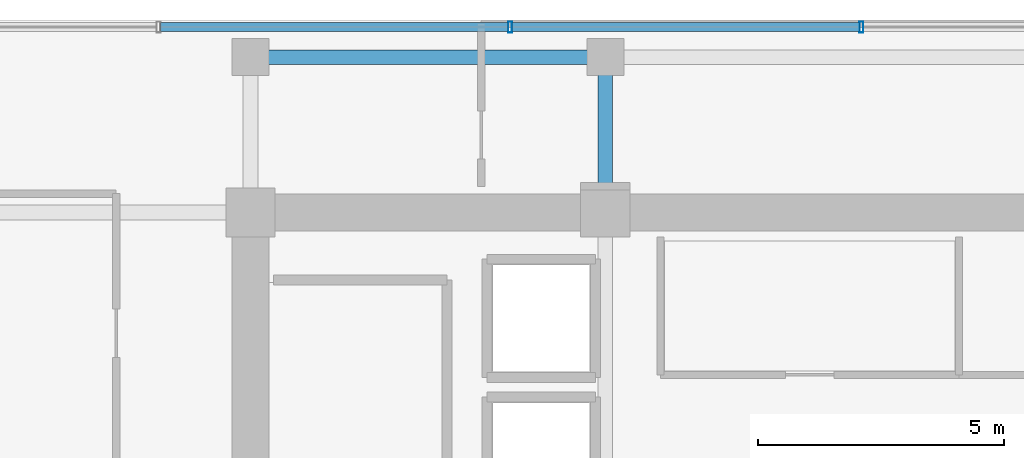
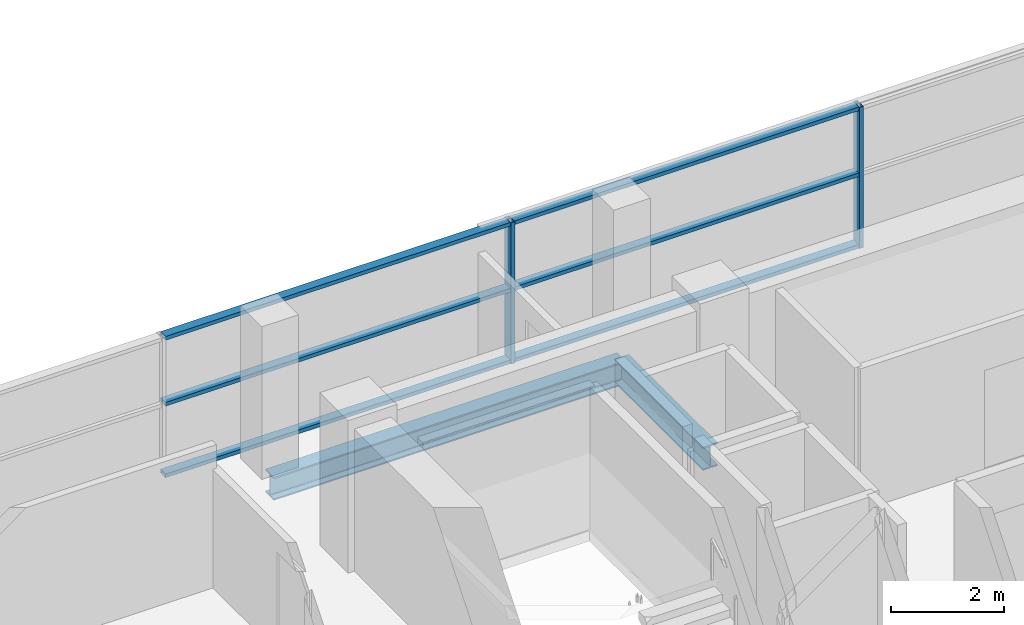
# One storey, part 10 of 21: 8 members, 2 beams, 1 element without a shape of its own.
"""IFC4 building model written with IfcOpenShell, lengths in metres."""

from ifc_helpers import new_model, si_unit, direction, frame, origin, origin_2d, place, context, subcontext, project, spatial, hollow_rectangle, i_section, extrude, source, transform, mapped, material, layer, layer_set, material_profile, profile_set, type_object, element, aggregate, save


model = new_model("IFC4")

# Units and contexts
model_context = context("Model", 3, precision=1e-05, world=origin(), true_north=direction((0.0, 1.0)))
body_context = subcontext(model_context, "Body", "Model", "MODEL_VIEW")
ifc_project = project(units=[si_unit("LENGTHUNIT", "METRE"), si_unit("AREAUNIT", "SQUARE_METRE"), si_unit("VOLUMEUNIT", "CUBIC_METRE"), si_unit("PLANEANGLEUNIT", "RADIAN"), si_unit("MASSUNIT", "GRAM", prefix="KILO")], contexts=[model_context])

# Site, building, storey
site_placement = place(None, origin())
site = spatial("IfcSite", under=ifc_project, at=site_placement, CompositionType="ELEMENT")
building_placement = place(site_placement, origin())
building = spatial("IfcBuilding", under=site, at=building_placement, Name="Zarnakvel Exchange Tower", CompositionType="ELEMENT")
storey_placement = place(building_placement, frame((0.0, 0.0, 159.39990234375)))
storey = spatial("IfcBuildingStorey", under=building, at=storey_placement, Name="L44", CompositionType="ELEMENT", Elevation=159.39990234375)

# Beams
ifc_material_1 = material(Name="Steel S355", Category="steel")
ifc_material_profile_1 = material_profile(ifc_material_1, i_section(OverallWidth=0.300048828125, OverallDepth=0.5, WebThickness=0.014404296875, FlangeThickness=0.028076171875, FilletRadius=0.027099609375, at=origin_2d()))
ifc_profile_set_1 = profile_set([ifc_material_profile_1], Name="Steel S355")
beam_type_1 = type_object("IfcBeamType", Name="G-06", PredefinedType="BEAM", material=ifc_profile_set_1)
beam_1_placement = place(storey_placement, frame((-7.199951171875, 13.5, -0.474853515625), z_axis=(0.0, 1.0, 0.0), x_axis=(-1.0, 0.0, 0.0)))
element("IfcBeam", 1, at=beam_1_placement, inside=storey, type_object=beam_type_1, Name="L44 Tower N-S Frame Beam", PredefinedType="BEAM", context=body_context, shape_type="SweptSolid", body=[
    extrude(i_section(OverallWidth=0.300048828125, OverallDepth=0.5, WebThickness=0.014404296875, FlangeThickness=0.028076171875, FilletRadius=0.027099609375, at=origin_2d()), origin(), (0.0, 0.0, 1.0), 3.14990234375),
])
ifc_material_profile_2 = material_profile(ifc_material_1, i_section(OverallWidth=0.300048828125, OverallDepth=0.5, WebThickness=0.014404296875, FlangeThickness=0.028076171875, FilletRadius=0.027099609375, at=origin_2d()))
ifc_profile_set_2 = profile_set([ifc_material_profile_2], Name="Steel S355")
beam_type_2 = type_object("IfcBeamType", Name="SP-02", PredefinedType="SPANDREL", material=ifc_profile_set_2)
beam_2_placement = place(storey_placement, frame((-14.39990234375, 16.64990234375, -0.474853515625), z_axis=(1.0, 0.0, 0.0), x_axis=(0.0, 1.0, 0.0)))
element("IfcBeam", 2, at=beam_2_placement, inside=storey, type_object=beam_type_2, Name="L44 Tower E-W Frame Beam", PredefinedType="SPANDREL", context=body_context, shape_type="SweptSolid", body=[
    extrude(i_section(OverallWidth=0.300048828125, OverallDepth=0.5, WebThickness=0.014404296875, FlangeThickness=0.028076171875, FilletRadius=0.027099609375, at=origin_2d()), origin(), (0.0, 0.0, 1.0), 7.199951171875),
])

# Curtain wall, members
ifc_material_2 = material(Name="Architectural Bronze Anodised Aluminium", Category="aluminium")
ifc_layer = layer(ifc_material_2, 0.219970703125)
ifc_layer_set = layer_set([ifc_layer], Name="Architectural Bronze Anodised Aluminium")
curtain_wall_type = type_object("IfcCurtainWallType", Name="CW-03", PredefinedType="NOTDEFINED", material=ifc_layer_set)
curtain_wall_placement = place(storey_placement, origin())
curtain_wall = element("IfcCurtainWall", 3, at=curtain_wall_placement, inside=storey, type_object=curtain_wall_type, Name="L44 Curtain Wall CW-L44-N1 (CW-03)", PredefinedType="NOTDEFINED")
ifc_material_profile_3 = material_profile(ifc_material_2, hollow_rectangle(XDim=0.179931640625, YDim=0.080078125, WallThickness=0.00390625, at=origin_2d()))
ifc_profile_set_3 = profile_set([ifc_material_profile_3], Name="Architectural Bronze Anodised Aluminium")
member_type_1 = type_object("IfcMemberType", Name="CWT-03", PredefinedType="USERDEFINED", material=ifc_profile_set_3)
shared_shape_1 = source(origin(), body_context, "Body", "SweptSolid", [
    extrude(hollow_rectangle(XDim=0.179931640625, YDim=0.080078125, WallThickness=0.00390625, at=origin_2d()), origin(), (0.0, 0.0, 1.0), 7.05322265625),
])
member_1_placement = place(storey_placement, frame((-16.2265625, 17.260009765625, 0.0400390625), z_axis=(1.0, 0.0, 0.0), x_axis=(0.0, 1.0, 0.0)))
member_1 = element("IfcMember", 4, at=member_1_placement, type_object=member_type_1, Name="CW-03 transom 2.1", ObjectType="TRANSOM", PredefinedType="USERDEFINED", context=body_context, shape_type="MappedRepresentation", body=[
    mapped(shared_shape_1, transform((0.0, 0.0, 0.0), x_axis=(1.0, 0.0, 0.0), y_axis=(0.0, 1.0, 0.0), z_axis=(0.0, 0.0, 1.0), scale=1.0)),
])
member_2_placement = place(storey_placement, frame((-16.2265625, 17.260009765625, 1.588623046875), z_axis=(1.0, 0.0, 0.0), x_axis=(0.0, 1.0, 0.0)))
member_2 = element("IfcMember", 5, at=member_2_placement, type_object=member_type_1, Name="CW-03 transom 2.2", ObjectType="TRANSOM", PredefinedType="USERDEFINED", context=body_context, shape_type="MappedRepresentation", body=[
    mapped(shared_shape_1, transform((0.0, 0.0, 0.0), x_axis=(1.0, 0.0, 0.0), y_axis=(0.0, 1.0, 0.0), z_axis=(0.0, 0.0, 1.0), scale=1.0)),
])
member_3_placement = place(storey_placement, frame((-16.2265625, 17.260009765625, 3.01513671875), z_axis=(1.0, 0.0, 0.0), x_axis=(0.0, 1.0, 0.0)))
member_3 = element("IfcMember", 6, at=member_3_placement, type_object=member_type_1, Name="CW-03 transom 2.3", ObjectType="TRANSOM", PredefinedType="USERDEFINED", context=body_context, shape_type="MappedRepresentation", body=[
    mapped(shared_shape_1, transform((0.0, 0.0, 0.0), x_axis=(1.0, 0.0, 0.0), y_axis=(0.0, 1.0, 0.0), z_axis=(0.0, 0.0, 1.0), scale=1.0)),
])
member_4_placement = place(storey_placement, frame((-9.09326171875, 17.260009765625, 0.0400390625), z_axis=(1.0, 0.0, 0.0), x_axis=(0.0, 1.0, 0.0)))
member_4 = element("IfcMember", 7, at=member_4_placement, type_object=member_type_1, Name="CW-03 transom 3.1", ObjectType="TRANSOM", PredefinedType="USERDEFINED", context=body_context, shape_type="MappedRepresentation", body=[
    mapped(shared_shape_1, transform((0.0, 0.0, 0.0), x_axis=(1.0, 0.0, 0.0), y_axis=(0.0, 1.0, 0.0), z_axis=(0.0, 0.0, 1.0), scale=1.0)),
])
member_5_placement = place(storey_placement, frame((-9.09326171875, 17.260009765625, 1.588623046875), z_axis=(1.0, 0.0, 0.0), x_axis=(0.0, 1.0, 0.0)))
member_5 = element("IfcMember", 8, at=member_5_placement, type_object=member_type_1, Name="CW-03 transom 3.2", ObjectType="TRANSOM", PredefinedType="USERDEFINED", context=body_context, shape_type="MappedRepresentation", body=[
    mapped(shared_shape_1, transform((0.0, 0.0, 0.0), x_axis=(1.0, 0.0, 0.0), y_axis=(0.0, 1.0, 0.0), z_axis=(0.0, 0.0, 1.0), scale=1.0)),
])
member_6_placement = place(storey_placement, frame((-9.09326171875, 17.260009765625, 3.01513671875), z_axis=(1.0, 0.0, 0.0), x_axis=(0.0, 1.0, 0.0)))
member_6 = element("IfcMember", 9, at=member_6_placement, type_object=member_type_1, Name="CW-03 transom 3.3", ObjectType="TRANSOM", PredefinedType="USERDEFINED", context=body_context, shape_type="MappedRepresentation", body=[
    mapped(shared_shape_1, transform((0.0, 0.0, 0.0), x_axis=(1.0, 0.0, 0.0), y_axis=(0.0, 1.0, 0.0), z_axis=(0.0, 0.0, 1.0), scale=1.0)),
])
ifc_material_profile_4 = material_profile(ifc_material_2, hollow_rectangle(XDim=0.219970703125, YDim=0.080078125, WallThickness=0.0048828125, at=origin_2d()))
ifc_profile_set_4 = profile_set([ifc_material_profile_4], Name="Architectural Bronze Anodised Aluminium")
member_type_2 = type_object("IfcMemberType", Name="CWM-03", PredefinedType="MULLION", material=ifc_profile_set_4)
shared_shape_2 = source(origin(), body_context, "Body", "SweptSolid", [
    extrude(hollow_rectangle(XDim=0.219970703125, YDim=0.080078125, WallThickness=0.0048828125, at=origin_2d()), origin(), (0.0, 0.0, 1.0), 3.05517578125),
])
member_7_placement = place(storey_placement, frame((-9.13330078125, 17.260009765625, 0.0), z_axis=(0.0, 0.0, 1.0), x_axis=(0.0, 1.0, 0.0)))
member_7 = element("IfcMember", 10, at=member_7_placement, type_object=member_type_2, Name="CW-03 mullion 3", PredefinedType="MULLION", context=body_context, shape_type="MappedRepresentation", body=[
    mapped(shared_shape_2, transform((0.0, 0.0, 0.0), x_axis=(1.0, 0.0, 0.0), y_axis=(0.0, 1.0, 0.0), z_axis=(0.0, 0.0, 1.0), scale=1.0)),
])
member_8_placement = place(storey_placement, frame((-2.0, 17.260009765625, 0.0), z_axis=(0.0, 0.0, 1.0), x_axis=(0.0, 1.0, 0.0)))
member_8 = element("IfcMember", 11, at=member_8_placement, type_object=member_type_2, Name="CW-03 mullion 4", PredefinedType="MULLION", context=body_context, shape_type="MappedRepresentation", body=[
    mapped(shared_shape_2, transform((0.0, 0.0, 0.0), x_axis=(1.0, 0.0, 0.0), y_axis=(0.0, 1.0, 0.0), z_axis=(0.0, 0.0, 1.0), scale=1.0)),
])
aggregate(curtain_wall, [member_7, member_8, member_1, member_2, member_3, member_4, member_5, member_6])

save(model, "model.ifc")
